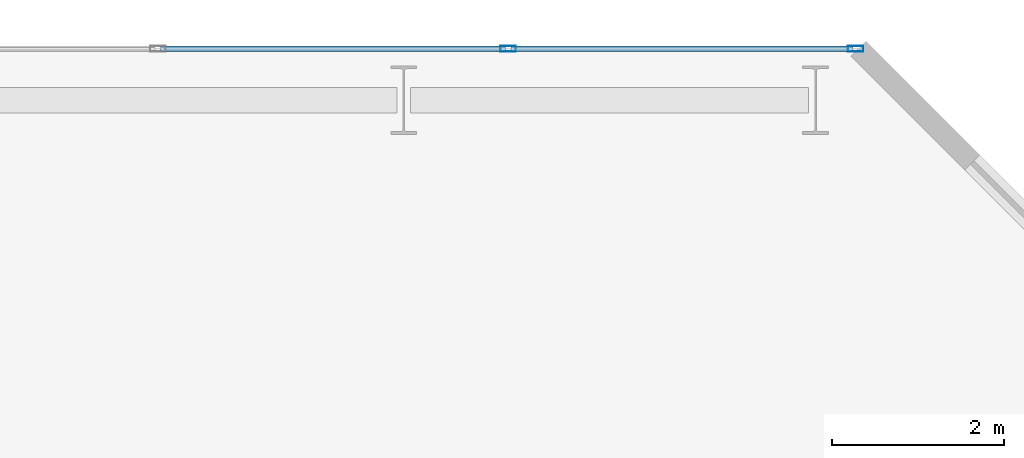
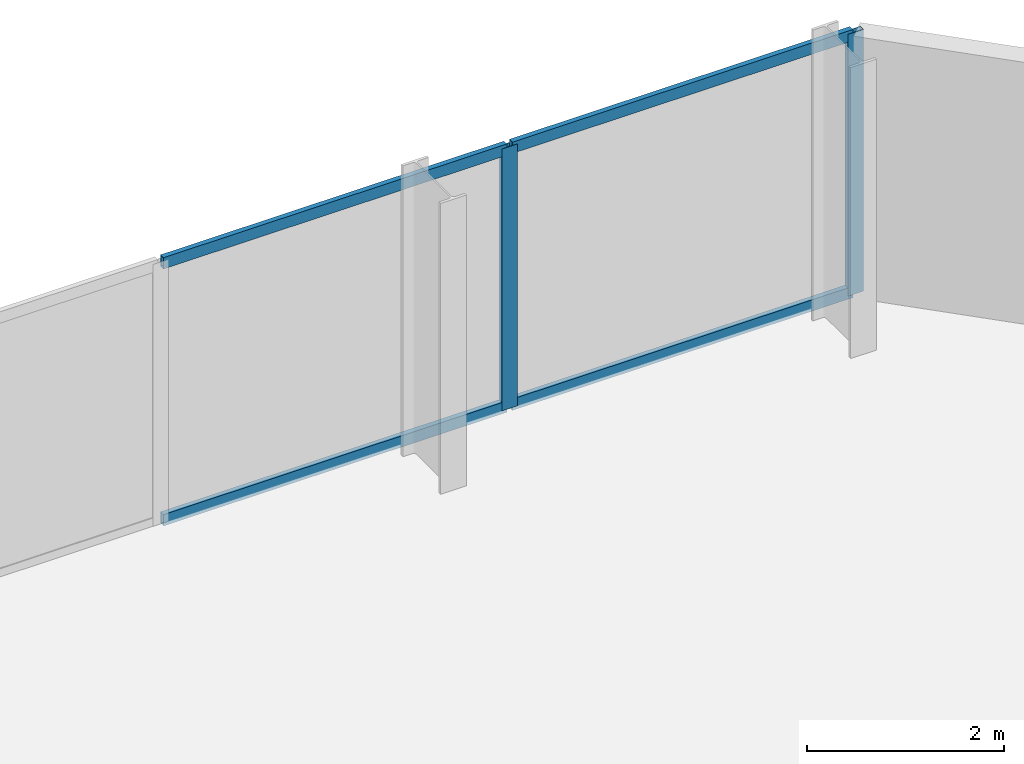
# One storey, part 27 of 33: 6 members, 1 element without a shape of its own.
"""IFC4 building model written with IfcOpenShell, lengths in metres."""

from ifc_helpers import new_model, si_unit, direction, frame, origin, origin_2d, place, context, subcontext, project, spatial, hollow_rectangle, extrude, material, layer, layer_set, material_profile, profile_set, type_object, element, aggregate, save


model = new_model("IFC4")

# Units and contexts
model_context = context("Model", 3, precision=1e-05, world=origin(), true_north=direction((0.0, 1.0)))
body_context = subcontext(model_context, "Body", "Model", "MODEL_VIEW")
ifc_project = project(units=[si_unit("LENGTHUNIT", "METRE"), si_unit("AREAUNIT", "SQUARE_METRE"), si_unit("VOLUMEUNIT", "CUBIC_METRE"), si_unit("PLANEANGLEUNIT", "RADIAN"), si_unit("MASSUNIT", "GRAM", prefix="KILO")], contexts=[model_context])

# Site, building, storey
site_placement = place(None, origin())
site = spatial("IfcSite", under=ifc_project, at=site_placement, CompositionType="ELEMENT")
building_placement = place(site_placement, origin())
building = spatial("IfcBuilding", under=site, at=building_placement, Name="Catumbela Crestline Tower", CompositionType="ELEMENT")
storey_placement = place(building_placement, frame((0.0, 0.0, 76.2)))
storey = spatial("IfcBuildingStorey", under=building, at=storey_placement, Name="L19", CompositionType="ELEMENT", Elevation=76.2)

# Curtain wall, members
ifc_material = material(Name="Aluminium alloy AW-6060-T66", Category="aluminium")
ifc_layer = layer(ifc_material, 0.18, Name="Aluminium alloy AW-6060-T66")
ifc_layer_set = layer_set([ifc_layer], Name="Aluminium alloy AW-6060-T66")
curtain_wall_type = type_object("IfcCurtainWallType", Name="CWU-Z1", PredefinedType="USERDEFINED", material=ifc_layer_set)
curtain_wall_placement = place(storey_placement, origin())
curtain_wall = element("IfcCurtainWall", 1, at=curtain_wall_placement, inside=storey, type_object=curtain_wall_type, Name="L19 Unitised Curtain Wall CW-L19-E7S1", ObjectType="UNITISED", PredefinedType="USERDEFINED")
ifc_material_profile_1 = material_profile(ifc_material, hollow_rectangle(XDim=0.065, YDim=0.18, WallThickness=0.004, at=origin_2d()), Name="ALU 180x65x4")
ifc_profile_set_1 = profile_set([ifc_material_profile_1], Name="Aluminium alloy AW-6060-T66")
member_type_1 = type_object("IfcMemberType", Name="MUL-180X65", PredefinedType="MULLION", material=ifc_profile_set_1)
member_1_placement = place(storey_placement, frame((52.4675, 48.0, 0.0), z_axis=(0.0, 0.0, 1.0), x_axis=(0.0, -1.0, 0.0)))
member_1 = element("IfcMember", 2, at=member_1_placement, type_object=member_type_1, Name="CWU-Z1 mullion 1", PredefinedType="MULLION", context=body_context, shape_type="SweptSolid", body=[
    extrude(hollow_rectangle(XDim=0.065, YDim=0.18, WallThickness=0.004, at=origin_2d()), origin(), (0.0, 0.0, 1.0), 3.24),
])
member_2_placement = place(storey_placement, frame((48.4167, 48.0, 0.0), z_axis=(0.0, 0.0, 1.0), x_axis=(0.0, -1.0, 0.0)))
member_2 = element("IfcMember", 3, at=member_2_placement, type_object=member_type_1, Name="CWU-Z1 mullion 2", PredefinedType="MULLION", context=body_context, shape_type="SweptSolid", body=[
    extrude(hollow_rectangle(XDim=0.065, YDim=0.18, WallThickness=0.004, at=origin_2d()), origin(), (0.0, 0.0, 1.0), 3.24),
])
ifc_material_profile_2 = material_profile(ifc_material, hollow_rectangle(XDim=0.06, YDim=0.14, WallThickness=0.004, at=origin_2d()), Name="ALU 140x60x4")
ifc_profile_set_2 = profile_set([ifc_material_profile_2], Name="Aluminium alloy AW-6060-T66")
member_type_2 = type_object("IfcMemberType", Name="TRN-140X60", PredefinedType="USERDEFINED", material=ifc_profile_set_2)
member_3_placement = place(storey_placement, frame((52.435, 48.0, 0.03), z_axis=(-1.0, 0.0, 0.0), x_axis=(0.0, -1.0, 0.0)))
member_3 = element("IfcMember", 4, at=member_3_placement, type_object=member_type_2, Name="CWU-Z1 transom 1.1", ObjectType="TRANSOM", PredefinedType="USERDEFINED", context=body_context, shape_type="SweptSolid", body=[
    extrude(hollow_rectangle(XDim=0.06, YDim=0.14, WallThickness=0.004, at=origin_2d()), origin(), (0.0, 0.0, 1.0), 3.9858),
])
member_4_placement = place(storey_placement, frame((52.435, 48.0, 3.21), z_axis=(-1.0, 0.0, 0.0), x_axis=(0.0, -1.0, 0.0)))
member_4 = element("IfcMember", 5, at=member_4_placement, type_object=member_type_2, Name="CWU-Z1 transom 1.2", ObjectType="TRANSOM", PredefinedType="USERDEFINED", context=body_context, shape_type="SweptSolid", body=[
    extrude(hollow_rectangle(XDim=0.06, YDim=0.14, WallThickness=0.004, at=origin_2d()), origin(), (0.0, 0.0, 1.0), 3.9858),
])
member_5_placement = place(storey_placement, frame((48.3842, 48.0, 0.03), z_axis=(-1.0, 0.0, 0.0), x_axis=(0.0, -1.0, 0.0)))
member_5 = element("IfcMember", 6, at=member_5_placement, type_object=member_type_2, Name="CWU-Z1 transom 2.1", ObjectType="TRANSOM", PredefinedType="USERDEFINED", context=body_context, shape_type="SweptSolid", body=[
    extrude(hollow_rectangle(XDim=0.06, YDim=0.14, WallThickness=0.004, at=origin_2d()), origin(), (0.0, 0.0, 1.0), 4.0184),
])
member_6_placement = place(storey_placement, frame((48.3842, 48.0, 3.21), z_axis=(-1.0, 0.0, 0.0), x_axis=(0.0, -1.0, 0.0)))
member_6 = element("IfcMember", 7, at=member_6_placement, type_object=member_type_2, Name="CWU-Z1 transom 2.2", ObjectType="TRANSOM", PredefinedType="USERDEFINED", context=body_context, shape_type="SweptSolid", body=[
    extrude(hollow_rectangle(XDim=0.06, YDim=0.14, WallThickness=0.004, at=origin_2d()), origin(), (0.0, 0.0, 1.0), 4.0184),
])
aggregate(curtain_wall, [member_1, member_2, member_3, member_4, member_5, member_6])

save(model, "model.ifc")
